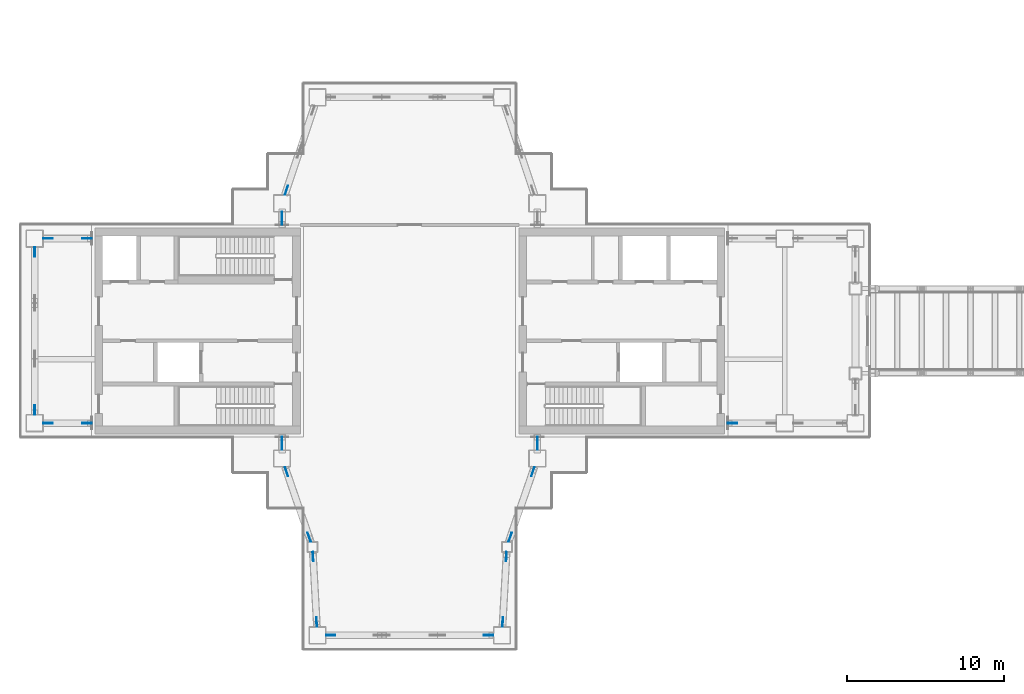
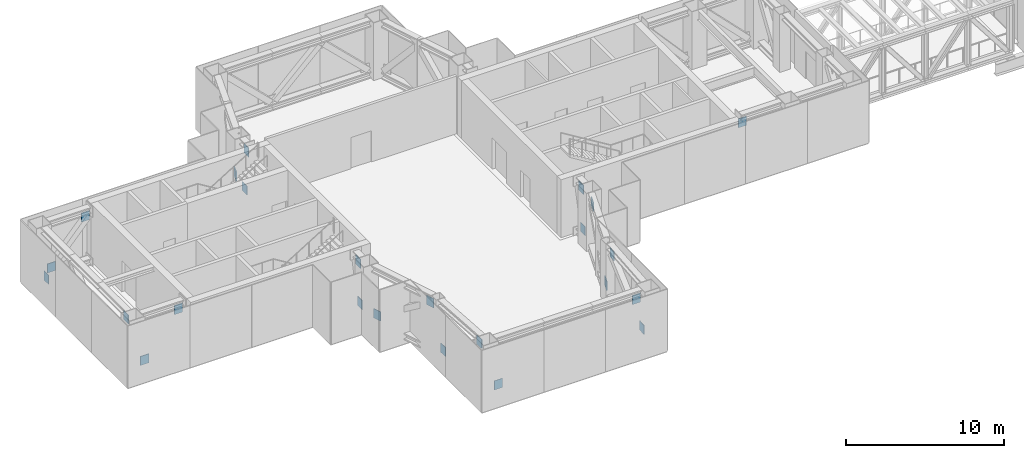
# One storey, part 16 of 21: 24 discrete accessories.
"""IFC4 building model written with IfcOpenShell, lengths in metres."""

from ifc_helpers import new_model, si_unit, direction, frame, origin, origin_2d, place, context, subcontext, project, spatial, rectangle, extrude, material, layer, layer_set, type_object, element, save


model = new_model("IFC4")

# Units and contexts
model_context = context("Model", 3, precision=1e-05, world=origin(), true_north=direction((0.0, 1.0)))
body_context = subcontext(model_context, "Body", "Model", "MODEL_VIEW")
ifc_project = project(units=[si_unit("LENGTHUNIT", "METRE"), si_unit("AREAUNIT", "SQUARE_METRE"), si_unit("VOLUMEUNIT", "CUBIC_METRE"), si_unit("PLANEANGLEUNIT", "RADIAN"), si_unit("MASSUNIT", "GRAM", prefix="KILO")], contexts=[model_context])

# Site, building, storey
site_placement = place(None, origin())
site = spatial("IfcSite", under=ifc_project, at=site_placement, CompositionType="ELEMENT")
building_placement = place(site_placement, origin())
building = spatial("IfcBuilding", under=site, at=building_placement, Name="Shamsa Quay Exchange Towers", CompositionType="ELEMENT")
storey_placement = place(building_placement, frame((0.0, 0.0, 177.89990234375)))
storey = spatial("IfcBuildingStorey", under=building, at=storey_placement, Name="L42", CompositionType="ELEMENT", Elevation=177.89990234375)

# Discrete accessories
ifc_material = material(Name="Steel S355", Category="steel")
ifc_layer = layer(ifc_material, 0.0400390625)
ifc_layer_set = layer_set([ifc_layer], Name="End plate 600x700x40")
discrete_accessory_type = type_object("IfcDiscreteAccessoryType", Name="End plate 600x700x40", PredefinedType="BRACKET", material=ifc_layer_set)
for number, where, name in (
    (1, (-56.77490234375, -5.875, 0.34814453125), "End plate T1 L42"),
    (2, (-54.300048828125, -5.875, 3.40234375), "End plate T1 L42"),
):
    element("IfcDiscreteAccessory", number, at=place(storey_placement, frame(where)), inside=storey, type_object=discrete_accessory_type, Name=name, PredefinedType="BRACKET", context=body_context, shape_type="SweptSolid", body=[
        extrude(rectangle(XDim=0.60009765625, YDim=0.0400390625, at=origin_2d()), origin(), (0.0, 0.0, 1.0), 0.699951171875),
    ])
for number, where, z_axis, x_axis, name in (
    (3, (-41.875, -7.27490234375, 0.34814453125), (0.0, 0.0, 1.0), (0.0, 1.0, 0.0), "End plate T1 L42"),
    (4, (-41.875, -7.050048828125, 3.40234375), (0.0, 0.0, 1.0), (0.0, 1.0, 0.0), "End plate T1 L42"),
    (5, (-41.587890625, -8.958740234375, 0.34814453125), (0.0, 0.0, 1.0), (0.325666906351, -0.945484566827, 0.0), "End plate T1 L42"),
    (6, (-40.147216796875, -13.141357421875, 3.40234375), (0.0, 0.0, 1.0), (0.325666906351, -0.945484566827, 0.0), "End plate T1 L42"),
    (7, (-39.90283203125, -14.37451171875, 0.34814453125), (0.0, 0.0, 1.0), (0.055470019625, -0.998460353205, 0.0), "End plate T1 L42"),
    (8, (-39.672119140625, -18.525390625, 3.40234375), (0.0, 0.0, 1.0), (0.055470019625, -0.998460353205, 0.0), "End plate T1 L42"),
):
    element("IfcDiscreteAccessory", number, at=place(storey_placement, frame(where, z_axis=z_axis, x_axis=x_axis)), inside=storey, type_object=discrete_accessory_type, Name=name, PredefinedType="BRACKET", context=body_context, shape_type="SweptSolid", body=[
        extrude(rectangle(XDim=0.60009765625, YDim=0.0400390625, at=origin_2d()), origin(), (0.0, 0.0, 1.0), 0.699951171875),
    ])
for number, where, name in (
    (9, (-38.77490234375, -19.375, 0.34814453125), "End plate T1 L42"),
    (10, (-28.72509765625, -19.375, 3.40234375), "End plate T1 L42"),
):
    element("IfcDiscreteAccessory", number, at=place(storey_placement, frame(where)), inside=storey, type_object=discrete_accessory_type, Name=name, PredefinedType="BRACKET", context=body_context, shape_type="SweptSolid", body=[
        extrude(rectangle(XDim=0.60009765625, YDim=0.0400390625, at=origin_2d()), origin(), (0.0, 0.0, 1.0), 0.699951171875),
    ])
for number, where, z_axis, x_axis, name in (
    (11, (-27.827880859375, -18.525390625, 0.34814453125), (0.0, 0.0, 1.0), (0.055470019625, 0.998460353205, 0.0), "End plate T1 L42"),
    (12, (-27.59716796875, -14.37451171875, 3.40234375), (0.0, 0.0, 1.0), (0.055470019625, 0.998460353205, 0.0), "End plate T1 L42"),
    (13, (-27.352783203125, -13.141357421875, 0.34814453125), (0.0, 0.0, 1.0), (0.325666906351, 0.945484566827, 0.0), "End plate T1 L42"),
    (14, (-25.912109375, -8.958740234375, 3.40234375), (0.0, 0.0, 1.0), (0.325666906351, 0.945484566827, 0.0), "End plate T1 L42"),
    (15, (-25.625, -7.27490234375, 0.34814453125), (0.0, 0.0, 1.0), (0.0, 1.0, 0.0), "End plate T1 L42"),
    (16, (-25.625, -7.050048828125, 3.40234375), (0.0, 0.0, 1.0), (0.0, 1.0, 0.0), "End plate T1 L42"),
    (17, (-13.199951171875, -5.875, 3.40234375), (0.0, 0.0, 1.0), (-1.0, 0.0, 0.0), "End plate T1 L42"),
    (18, (-41.5966796875, 8.959716796875, 0.34814453125), (0.0, 0.0, 1.0), (-0.316227766018, -0.94868329805, 0.0), "End plate T1 L42"),
    (19, (-41.875, 7.27490234375, 0.34814453125), (0.0, 0.0, 1.0), (0.0, -1.0, 0.0), "End plate T1 L42"),
    (20, (-41.875, 7.050048828125, 3.40234375), (0.0, 0.0, 1.0), (0.0, -1.0, 0.0), "End plate T1 L42"),
):
    element("IfcDiscreteAccessory", number, at=place(storey_placement, frame(where, z_axis=z_axis, x_axis=x_axis)), inside=storey, type_object=discrete_accessory_type, Name=name, PredefinedType="BRACKET", context=body_context, shape_type="SweptSolid", body=[
        extrude(rectangle(XDim=0.60009765625, YDim=0.0400390625, at=origin_2d()), origin(), (0.0, 0.0, 1.0), 0.699951171875),
    ])
for number, where, name in (
    (21, (-56.77490234375, 5.875, 0.34814453125), "End plate T1 L42"),
    (22, (-54.300048828125, 5.875, 3.40234375), "End plate T1 L42"),
):
    element("IfcDiscreteAccessory", number, at=place(storey_placement, frame(where)), inside=storey, type_object=discrete_accessory_type, Name=name, PredefinedType="BRACKET", context=body_context, shape_type="SweptSolid", body=[
        extrude(rectangle(XDim=0.60009765625, YDim=0.0400390625, at=origin_2d()), origin(), (0.0, 0.0, 1.0), 0.699951171875),
    ])
for number, where, z_axis, x_axis, name in (
    (23, (-57.625, 5.02490234375, 0.34814453125), (0.0, 0.0, 1.0), (0.0, -1.0, 0.0), "End plate T1 L42"),
    (24, (-57.625, -5.02490234375, 3.40234375), (0.0, 0.0, 1.0), (0.0, -1.0, 0.0), "End plate T1 L42"),
):
    element("IfcDiscreteAccessory", number, at=place(storey_placement, frame(where, z_axis=z_axis, x_axis=x_axis)), inside=storey, type_object=discrete_accessory_type, Name=name, PredefinedType="BRACKET", context=body_context, shape_type="SweptSolid", body=[
        extrude(rectangle(XDim=0.60009765625, YDim=0.0400390625, at=origin_2d()), origin(), (0.0, 0.0, 1.0), 0.699951171875),
    ])

save(model, "model.ifc")
